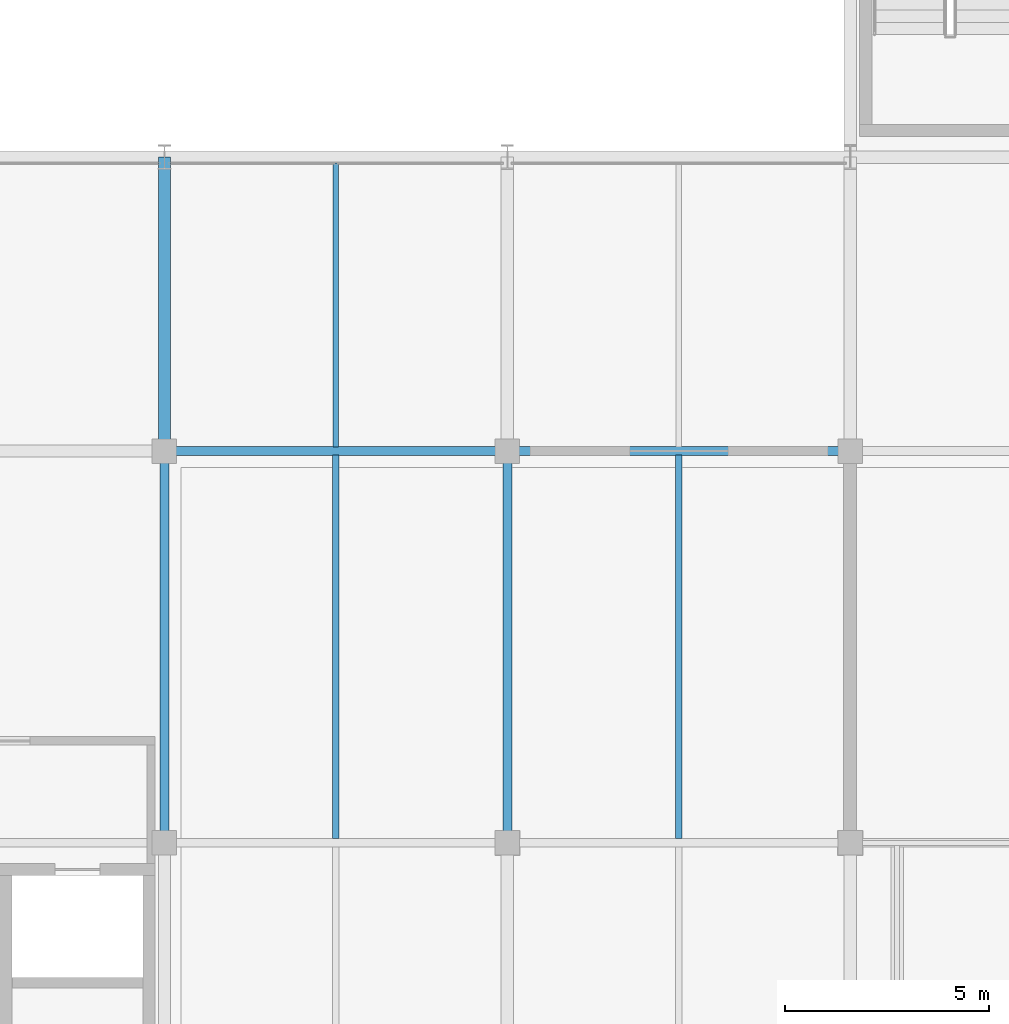
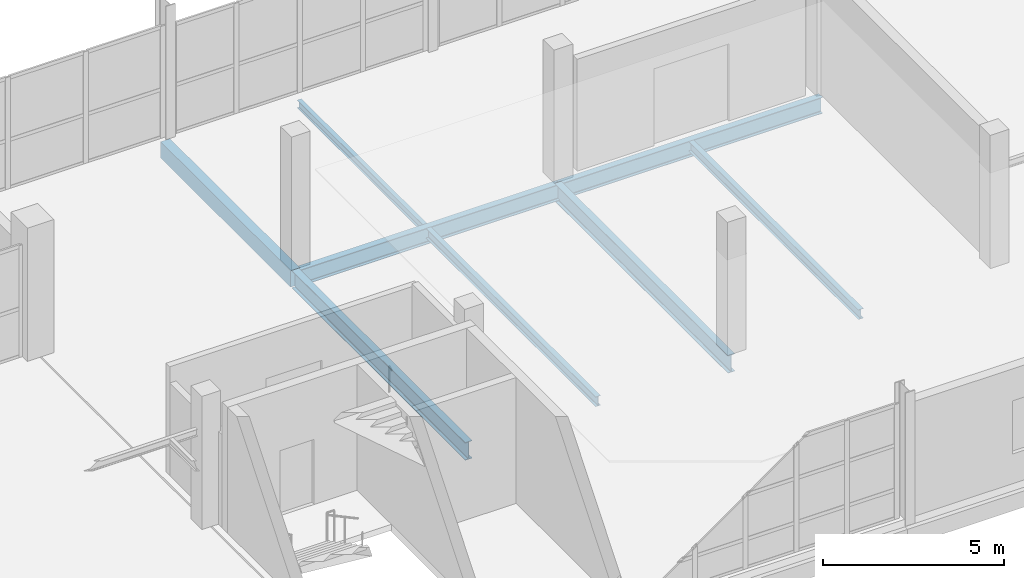
# One storey, part 57 of 130: 8 beams.
"""IFC4 building model written with IfcOpenShell, lengths in metres."""

from ifc_helpers import new_model, si_unit, direction, frame, origin, origin_2d, place, context, subcontext, project, spatial, rectangle, i_section, extrude, material, material_profile, profile_set, type_object, element, save


model = new_model("IFC4")

# Units and contexts
model_context = context("Model", 3, precision=1e-05, world=origin(), true_north=direction((0.0, 1.0)))
body_context = subcontext(model_context, "Body", "Model", "MODEL_VIEW")
ifc_project = project(units=[si_unit("LENGTHUNIT", "METRE"), si_unit("AREAUNIT", "SQUARE_METRE"), si_unit("VOLUMEUNIT", "CUBIC_METRE"), si_unit("PLANEANGLEUNIT", "RADIAN"), si_unit("MASSUNIT", "GRAM", prefix="KILO")], contexts=[model_context])

# Site, building, storey
site_placement = place(None, origin())
site = spatial("IfcSite", under=ifc_project, at=site_placement, CompositionType="ELEMENT")
building_placement = place(site_placement, origin())
building = spatial("IfcBuilding", under=site, at=building_placement, Name="Veltarok Museum of Natural Sciences", CompositionType="ELEMENT")
storey_placement = place(building_placement, frame((0.0, 0.0, 12.89990234375)))
storey = spatial("IfcBuildingStorey", under=building, at=storey_placement, Name="L02", CompositionType="ELEMENT", Elevation=12.89990234375)

# Beams
ifc_material_1 = material(Name="Steel S355J2", Category="steel")
ifc_material_profile_1 = material_profile(ifc_material_1, i_section(OverallWidth=0.2099609375, OverallDepth=0.550048828125, WebThickness=0.010986328125, FlangeThickness=0.01708984375, FilletRadius=0.02392578125, at=origin_2d()), Name="IPE 550")
ifc_profile_set_1 = profile_set([ifc_material_profile_1], Name="Steel S355J2")
beam_type_1 = type_object("IfcBeamType", Name="Archive Heavy Girder IPE 550", PredefinedType="BEAM", material=ifc_profile_set_1)
for number, where, z_axis, x_axis, name in (
    (1, (115.60009765625, 19.199951171875, -0.52490234375), (1.0, 0.0, 0.0), (0.0, 1.0, 0.0), "Beam BM-G03 L02 14-15/C"),
    (2, (124.0, 19.199951171875, -0.52490234375), (1.0, 0.0, 0.0), (0.0, 1.0, 0.0), "Beam BM-G03 L02 15-16/C"),
):
    element("IfcBeam", number, at=place(storey_placement, frame(where, z_axis=z_axis, x_axis=x_axis)), inside=storey, type_object=beam_type_1, Name=name, PredefinedType="BEAM", context=body_context, shape_type="SweptSolid", body=[
        extrude(i_section(OverallWidth=0.2099609375, OverallDepth=0.550048828125, WebThickness=0.010986328125, FlangeThickness=0.01708984375, FilletRadius=0.02392578125, at=origin_2d()), origin(), (0.0, 0.0, 1.0), 8.39990234375),
    ])
ifc_material_2 = material(Name="Precast concrete C40/50", Category="concrete")
ifc_material_profile_2 = material_profile(ifc_material_2, rectangle(XDim=0.300048828125, YDim=0.550048828125, at=origin_2d()), Name="RC 300x550")
ifc_profile_set_2 = profile_set([ifc_material_profile_2], Name="Precast concrete C40/50")
beam_type_2 = type_object("IfcBeamType", Name="East Wing Precast Spandrel RC 300x550", PredefinedType="SPANDREL", material=ifc_profile_set_2)
beam_1_placement = place(storey_placement, frame((115.60009765625, 19.199951171875, -0.52490234375), z_axis=(0.0, 1.0, 0.0), x_axis=(-1.0, 0.0, 0.0)))
element("IfcBeam", 3, at=beam_1_placement, inside=storey, type_object=beam_type_2, Name="Beam BM-SP02 L02 14/C-D", PredefinedType="SPANDREL", context=body_context, shape_type="SweptSolid", body=[
    extrude(rectangle(XDim=0.300048828125, YDim=0.550048828125, at=origin_2d()), origin(), (0.0, 0.0, 1.0), 7.199951171875),
])
ifc_material_profile_3 = material_profile(ifc_material_1, i_section(OverallWidth=0.159912109375, OverallDepth=0.330078125, WebThickness=0.007568359375, FlangeThickness=0.011474609375, FilletRadius=0.01806640625, at=origin_2d()), Name="IPE 330")
ifc_profile_set_3 = profile_set([ifc_material_profile_3], Name="Steel S355J2")
beam_type_3 = type_object("IfcBeamType", Name="Medium-Bay Composite Joist IPE 330", PredefinedType="JOIST", material=ifc_profile_set_3)
for number, where, z_axis, x_axis, name in (
    (4, (119.800048828125, 9.702880859375, -0.414794921875), (0.0, 1.0, 0.0), (-1.0, 0.0, 0.0), "Secondary Joist BM-J02 L02 14-15/B-C.1"),
    (5, (128.199951171875, 9.702880859375, -0.414794921875), (0.0, 1.0, 0.0), (-1.0, 0.0, 0.0), "Secondary Joist BM-J02 L02 15-16/B-C.1"),
):
    element("IfcBeam", number, at=place(storey_placement, frame(where, z_axis=z_axis, x_axis=x_axis)), inside=storey, type_object=beam_type_3, Name=name, PredefinedType="JOIST", context=body_context, shape_type="SweptSolid", body=[
        extrude(i_section(OverallWidth=0.159912109375, OverallDepth=0.330078125, WebThickness=0.007568359375, FlangeThickness=0.011474609375, FilletRadius=0.01806640625, at=origin_2d()), origin(), (0.0, 0.0, 1.0), 9.39404296875),
    ])
ifc_material_profile_4 = material_profile(ifc_material_1, i_section(OverallWidth=0.219970703125, OverallDepth=0.60009765625, WebThickness=0.011962890625, FlangeThickness=0.01904296875, FilletRadius=0.02392578125, at=origin_2d()), Name="IPE 600")
ifc_profile_set_4 = profile_set([ifc_material_profile_4], Name="Steel S355J2")
beam_type_4 = type_object("IfcBeamType", Name="Primary Museum Girder IPE 600", PredefinedType="BEAM", material=ifc_profile_set_4)
for number, where, z_axis, x_axis, name in (
    (6, (115.60009765625, 9.60009765625, -0.5498046875), (0.0, 1.0, 0.0), (-1.0, 0.0, 0.0), "Beam BM-G02 L02 14/B-C"),
    (7, (124.0, 9.60009765625, -0.5498046875), (0.0, 1.0, 0.0), (-1.0, 0.0, 0.0), "Beam BM-G02 L02 15/B-C"),
):
    element("IfcBeam", number, at=place(storey_placement, frame(where, z_axis=z_axis, x_axis=x_axis)), inside=storey, type_object=beam_type_4, Name=name, PredefinedType="BEAM", context=body_context, shape_type="SweptSolid", body=[
        extrude(i_section(OverallWidth=0.219970703125, OverallDepth=0.60009765625, WebThickness=0.011962890625, FlangeThickness=0.01904296875, FilletRadius=0.02392578125, at=origin_2d()), origin(), (0.0, 0.0, 1.0), 9.599853515625),
    ])
ifc_material_profile_5 = material_profile(ifc_material_1, i_section(OverallWidth=0.135009765625, OverallDepth=0.27001953125, WebThickness=0.006591796875, FlangeThickness=0.01025390625, FilletRadius=0.014892578125, at=origin_2d()), Name="IPE 270")
ifc_profile_set_5 = profile_set([ifc_material_profile_5], Name="Steel S355J2")
beam_type_5 = type_object("IfcBeamType", Name="Short-Bay Composite Joist IPE 270", PredefinedType="JOIST", material=ifc_profile_set_5)
beam_2_placement = place(storey_placement, frame((119.800048828125, 19.302978515625, -0.385009765625), z_axis=(0.0, 1.0, 0.0), x_axis=(-1.0, 0.0, 0.0)))
element("IfcBeam", 8, at=beam_2_placement, inside=storey, type_object=beam_type_5, Name="Secondary Joist BM-J04 L02 14-15/C-D.1", PredefinedType="JOIST", context=body_context, shape_type="SweptSolid", body=[
    extrude(i_section(OverallWidth=0.135009765625, OverallDepth=0.27001953125, WebThickness=0.006591796875, FlangeThickness=0.01025390625, FilletRadius=0.014892578125, at=origin_2d()), origin(), (0.0, 0.0, 1.0), 6.948974609375),
])

save(model, "model.ifc")
